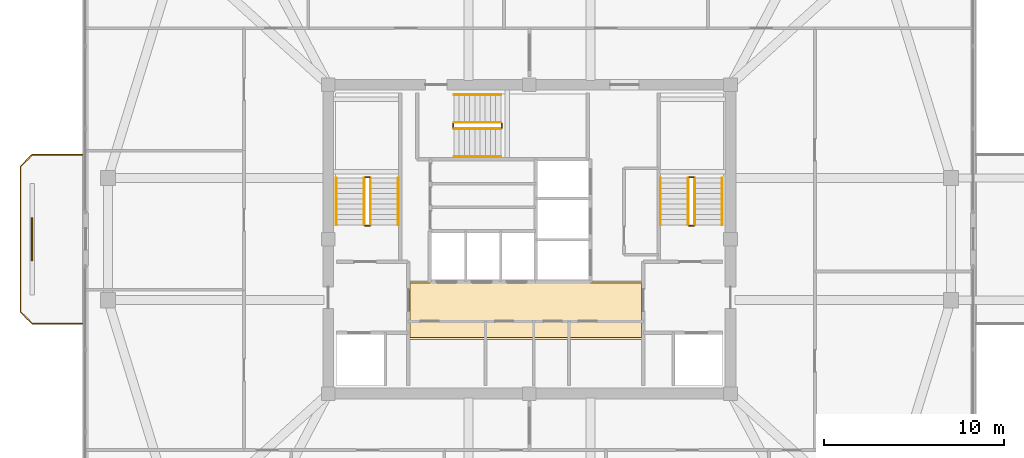
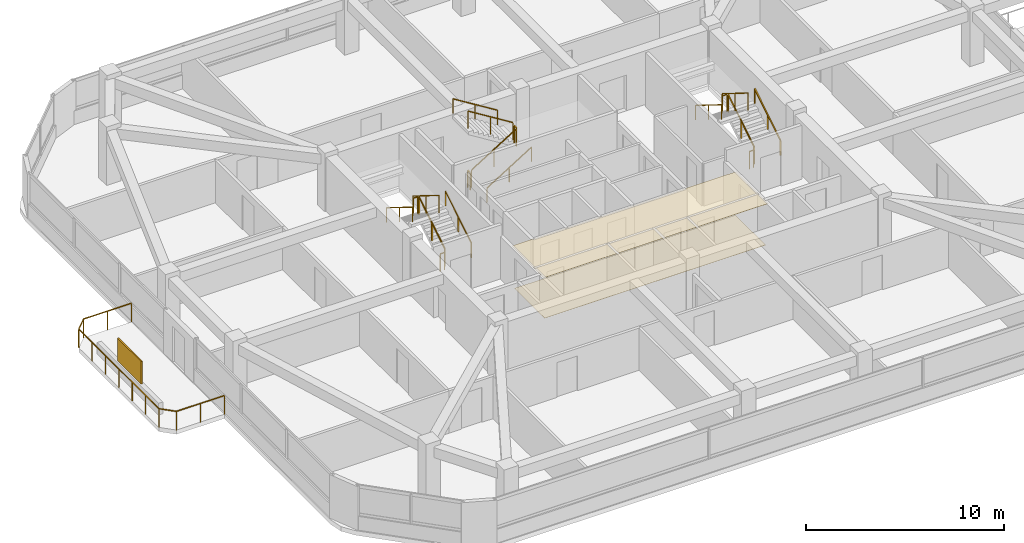
# One storey, part 12 of 13: 19 railings, 2 coverings, 1 shading device.
"""IFC4 building model written with IfcOpenShell, lengths in metres."""

from ifc_helpers import new_model, si_unit, derived_unit, direction, frame, origin, origin_2d, place, context, subcontext, project, spatial, polyline, rectangle, outline, extrude, material, layer, layer_set, type_object, element, save


model = new_model("IFC4")

# Units and contexts
model_context = context("Model", 3, precision=1e-05, world=origin(), true_north=direction((0.0, 1.0)))
body_context = subcontext(model_context, "Body", "Model", "MODEL_VIEW")
ifc_project = project(units=[si_unit("LENGTHUNIT", "METRE"), si_unit("AREAUNIT", "SQUARE_METRE"), si_unit("VOLUMEUNIT", "CUBIC_METRE"), si_unit("PLANEANGLEUNIT", "RADIAN"), si_unit("MASSUNIT", "GRAM", prefix="KILO"), derived_unit("THERMALTRANSMITTANCEUNIT", [(si_unit("POWERUNIT", "WATT"), 1), (si_unit("LENGTHUNIT", "METRE"), -2), (si_unit("THERMODYNAMICTEMPERATUREUNIT", "KELVIN"), -1)])], contexts=[model_context])

# Site, building, storey
site_placement = place(None, origin())
site = spatial("IfcSite", under=ifc_project, at=site_placement, CompositionType="ELEMENT")
building_placement = place(site_placement, origin())
building = spatial("IfcBuilding", under=site, at=building_placement, Name="Koralith Skygarden Medical Center", CompositionType="ELEMENT")
storey_placement = place(building_placement, frame((0.0, 0.0, 271.6201171875)))
storey = spatial("IfcBuildingStorey", under=building, at=storey_placement, Name="L70", CompositionType="ELEMENT", Elevation=271.6201171875)

# Covering
ifc_material_1 = material(Name="Acoustic Mineral Tile")
ifc_layer_1 = layer(ifc_material_1, 0.02001953125)
ifc_layer_set_1 = layer_set([ifc_layer_1], Name="Acoustic Mineral Tile")
covering_type_1 = type_object("IfcCoveringType", Name="Acoustic Hygienic Mineral Ceiling 20", PredefinedType="CEILING", material=ifc_layer_set_1)
covering_1_placement = place(storey_placement, frame((0.0, 0.0, 2.5849609375)))
element("IfcCovering", 1, at=covering_1_placement, inside=storey, type_object=covering_type_1, Name="L70 Core Lobby Acoustic Ceiling", PredefinedType="CEILING", context=body_context, shape_type="SweptSolid", body=[
    extrude(outline(polyline([(30.25, 20.320068359375), (43.35009765625, 20.320068359375), (43.35009765625, 23.56005859375), (30.25, 23.56005859375), (30.25, 20.320068359375)])), origin(), (0.0, 0.0, 1.0), 0.02001953125),
])

# Railing
ifc_material_2 = material(Name="Steel ASTM A500 Grade C", Category="steel")
railing_type_1 = type_object("IfcRailingType", Name="Outdoor Terrace & Balcony Safety Guardrail 1180", PredefinedType="GUARDRAIL", material=ifc_material_2)
railing_1_placement = place(storey_placement, frame((12.10009765625, 21.199951171875, 0.0)))
element("IfcRailing", 2, at=railing_1_placement, inside=storey, type_object=railing_type_1, Name="L70 W Balcony Perimeter Guardrail", PredefinedType="GUARDRAIL", context=body_context, shape_type="SweptSolid", body=[
    extrude(rectangle(XDim=0.050048828125, YDim=0.050048828125, at=origin_2d()), frame((-0.001953125, 0.0, 1.15478515625), z_axis=(-1.0, 0.0, 0.0), x_axis=(0.0, -1.0, 0.0)), (0.0, 0.0, 1.0), 2.796142578125),
    extrude(rectangle(XDim=0.050048828125, YDim=0.050048828125, at=origin_2d()), frame((-2.801513671875, 0.00146484375, 1.15478515625), z_axis=(-0.707106781187, 0.707106781187, 0.0), x_axis=(-0.707106781187, -0.707106781187, 0.0)), (0.0, 0.0, 1.0), 0.91552734375),
    extrude(rectangle(XDim=0.050048828125, YDim=0.050048828125, at=origin_2d()), frame((-3.4501953125, 0.652099609375, 1.15478515625), z_axis=(0.0, 1.0, 0.0), x_axis=(-1.0, 0.0, 0.0)), (0.0, 0.0, 1.0), 8.095947265625),
    extrude(rectangle(XDim=0.050048828125, YDim=0.050048828125, at=origin_2d()), frame((-3.44873046875, 8.75146484375, 1.15478515625), z_axis=(0.707106781187, 0.707106781187, 0.0), x_axis=(-0.707106781187, 0.707106781187, 0.0)), (0.0, 0.0, 1.0), 0.91552734375),
    extrude(rectangle(XDim=0.050048828125, YDim=0.050048828125, at=origin_2d()), frame((-2.798095703125, 9.400146484375, 1.15478515625), z_axis=(1.0, 0.0, 0.0), x_axis=(0.0, 1.0, 0.0)), (0.0, 0.0, 1.0), 2.796142578125),
    extrude(rectangle(XDim=0.0419921875, YDim=0.0419921875, at=origin_2d()), origin(), (0.0, 0.0, 1.0), 1.1279296875),
    extrude(rectangle(XDim=0.0419921875, YDim=0.0419921875, at=origin_2d()), frame((-1.39990234375, 0.0, 0.0)), (0.0, 0.0, 1.0), 1.1279296875),
    extrude(rectangle(XDim=0.0419921875, YDim=0.0419921875, at=origin_2d()), frame((-2.800048828125, 0.0, 0.0)), (0.0, 0.0, 1.0), 1.1279296875),
    extrude(rectangle(XDim=0.0419921875, YDim=0.0419921875, at=origin_2d()), frame((-3.4501953125, 0.650146484375, 0.0)), (0.0, 0.0, 1.0), 1.1279296875),
    extrude(rectangle(XDim=0.0419921875, YDim=0.0419921875, at=origin_2d()), frame((-3.4501953125, 2.0, 0.0)), (0.0, 0.0, 1.0), 1.1279296875),
    extrude(rectangle(XDim=0.0419921875, YDim=0.0419921875, at=origin_2d()), frame((-3.4501953125, 3.35009765625, 0.0)), (0.0, 0.0, 1.0), 1.1279296875),
    extrude(rectangle(XDim=0.0419921875, YDim=0.0419921875, at=origin_2d()), frame((-3.4501953125, 4.7001953125, 0.0)), (0.0, 0.0, 1.0), 1.1279296875),
    extrude(rectangle(XDim=0.0419921875, YDim=0.0419921875, at=origin_2d()), frame((-3.4501953125, 6.050048828125, 0.0)), (0.0, 0.0, 1.0), 1.1279296875),
    extrude(rectangle(XDim=0.0419921875, YDim=0.0419921875, at=origin_2d()), frame((-3.4501953125, 7.39990234375, 0.0)), (0.0, 0.0, 1.0), 1.1279296875),
    extrude(rectangle(XDim=0.0419921875, YDim=0.0419921875, at=origin_2d()), frame((-3.4501953125, 8.75, 0.0)), (0.0, 0.0, 1.0), 1.1279296875),
    extrude(rectangle(XDim=0.0419921875, YDim=0.0419921875, at=origin_2d()), frame((-2.800048828125, 9.400146484375, 0.0)), (0.0, 0.0, 1.0), 1.1279296875),
    extrude(rectangle(XDim=0.0419921875, YDim=0.0419921875, at=origin_2d()), frame((-1.39990234375, 9.400146484375, 0.0)), (0.0, 0.0, 1.0), 1.1279296875),
    extrude(rectangle(XDim=0.0419921875, YDim=0.0419921875, at=origin_2d()), frame((0.0, 9.400146484375, 0.0)), (0.0, 0.0, 1.0), 1.1279296875),
])

# Shading device
ifc_material_3 = material(Name="Aluminium 6063-T6", Category="aluminium")
ifc_layer_2 = layer(ifc_material_3, 0.080078125)
ifc_layer_set_2 = layer_set([ifc_layer_2], Name="Aluminium 6063-T6")
shading_device_type = type_object("IfcShadingDeviceType", Name="Perforated Biophilic Balcony Trellis Screen", PredefinedType="USERDEFINED", material=ifc_layer_set_2)
shading_device_placement = place(storey_placement, frame((9.300048828125, 25.89990234375, 0.719970703125), z_axis=(0.0, 0.0, 1.0), x_axis=(0.0, 1.0, 0.0)))
element("IfcShadingDevice", 3, at=shading_device_placement, inside=storey, type_object=shading_device_type, Name="L70 W Biophilic Balcony Trellis Screen", ObjectType="HURRICANE SCREEN", PredefinedType="USERDEFINED", context=body_context, shape_type="SweptSolid", body=[
    extrude(rectangle(XDim=2.39990234375, YDim=0.080078125, at=origin_2d()), origin(), (0.0, 0.0, 1.0), 1.39990234375),
])

# Covering
ifc_material_4 = material(Name="Medical Terrazzo Flooring")
ifc_layer_3 = layer(ifc_material_4, 0.014892578125)
ifc_layer_set_3 = layer_set([ifc_layer_3], Name="Medical Terrazzo Flooring")
covering_type_2 = type_object("IfcCoveringType", Name="Seamless Antimicrobial Terrazzo Flooring 15", PredefinedType="FLOORING", material=ifc_layer_set_3)
covering_2_placement = place(storey_placement, origin())
element("IfcCovering", 4, at=covering_2_placement, inside=storey, type_object=covering_type_2, Name="L70 Core Lobby Terrazzo Flooring", PredefinedType="FLOORING", context=body_context, shape_type="SweptSolid", body=[
    extrude(outline(polyline([(30.35009765625, 20.419921875), (43.25, 20.419921875), (43.25, 23.4599609375), (30.35009765625, 23.4599609375), (30.35009765625, 20.419921875)])), origin(), (0.0, 0.0, 1.0), 0.014892578125),
])

# Railings
railing_type_2 = type_object("IfcRailingType", Name="Stair Flight Tubular Handrail 920", PredefinedType="HANDRAIL", material=ifc_material_2)
railing_2_placement = place(storey_placement, frame((29.699951171875, 26.699951171875, 0.179931640625)))
element("IfcRailing", 5, at=railing_2_placement, inside=storey, type_object=railing_type_2, Name="L70 ST1 stair handrail 1", PredefinedType="HANDRAIL", context=body_context, shape_type="SweptSolid", body=[
    extrude(rectangle(XDim=0.050048828125, YDim=0.050048828125, at=origin_2d()), frame((0.0, 0.001708984375, 0.89599609375), z_axis=(0.0, 0.849668407637, 0.527317358963), x_axis=(-1.0, 0.0, 0.0)), (0.0, 0.0, 1.0), 3.06787109375),
    extrude(rectangle(XDim=0.0419921875, YDim=0.0419921875, at=origin_2d()), origin(), (0.0, 0.0, 1.0), 0.867919921875),
    extrude(rectangle(XDim=0.0419921875, YDim=0.0419921875, at=origin_2d()), frame((0.0, 1.30517578125, 0.81005859375)), (0.0, 0.0, 1.0), 0.867919921875),
    extrude(rectangle(XDim=0.0419921875, YDim=0.0419921875, at=origin_2d()), frame((0.0, 2.610107421875, 1.619873046875)), (0.0, 0.0, 1.0), 0.867919921875),
])
railing_3_placement = place(storey_placement, frame((26.25, 29.31005859375, 1.97998046875)))
element("IfcRailing", 6, at=railing_3_placement, inside=storey, type_object=railing_type_2, Name="L70 ST1 stair handrail 2", PredefinedType="HANDRAIL", context=body_context, shape_type="SweptSolid", body=[
    extrude(rectangle(XDim=0.050048828125, YDim=0.050048828125, at=origin_2d()), frame((0.0, -0.001708984375, 0.89599609375), z_axis=(0.0, -0.849668407637, 0.527317358963), x_axis=(1.0, 0.0, 0.0)), (0.0, 0.0, 1.0), 3.06787109375),
    extrude(rectangle(XDim=0.0419921875, YDim=0.0419921875, at=origin_2d()), origin(), (0.0, 0.0, 1.0), 0.867919921875),
    extrude(rectangle(XDim=0.0419921875, YDim=0.0419921875, at=origin_2d()), frame((0.0, -1.30517578125, 0.81005859375)), (0.0, 0.0, 1.0), 0.867919921875),
    extrude(rectangle(XDim=0.0419921875, YDim=0.0419921875, at=origin_2d()), frame((0.0, -2.610107421875, 1.619873046875)), (0.0, 0.0, 1.0), 0.867919921875),
])
railing_4_placement = place(storey_placement, frame((47.75, 26.699951171875, 0.179931640625)))
element("IfcRailing", 7, at=railing_4_placement, inside=storey, type_object=railing_type_2, Name="L70 ST2 stair handrail 1", PredefinedType="HANDRAIL", context=body_context, shape_type="SweptSolid", body=[
    extrude(rectangle(XDim=0.050048828125, YDim=0.050048828125, at=origin_2d()), frame((0.0, 0.001708984375, 0.89599609375), z_axis=(0.0, 0.849668407637, 0.527317358963), x_axis=(-1.0, 0.0, 0.0)), (0.0, 0.0, 1.0), 3.06787109375),
    extrude(rectangle(XDim=0.0419921875, YDim=0.0419921875, at=origin_2d()), origin(), (0.0, 0.0, 1.0), 0.867919921875),
    extrude(rectangle(XDim=0.0419921875, YDim=0.0419921875, at=origin_2d()), frame((0.0, 1.30517578125, 0.81005859375)), (0.0, 0.0, 1.0), 0.867919921875),
    extrude(rectangle(XDim=0.0419921875, YDim=0.0419921875, at=origin_2d()), frame((0.0, 2.610107421875, 1.619873046875)), (0.0, 0.0, 1.0), 0.867919921875),
])
railing_5_placement = place(storey_placement, frame((44.300048828125, 29.31005859375, 1.97998046875)))
element("IfcRailing", 8, at=railing_5_placement, inside=storey, type_object=railing_type_2, Name="L70 ST2 stair handrail 2", PredefinedType="HANDRAIL", context=body_context, shape_type="SweptSolid", body=[
    extrude(rectangle(XDim=0.050048828125, YDim=0.050048828125, at=origin_2d()), frame((0.0, -0.001708984375, 0.89599609375), z_axis=(0.0, -0.849668407637, 0.527317358963), x_axis=(1.0, 0.0, 0.0)), (0.0, 0.0, 1.0), 3.06787109375),
    extrude(rectangle(XDim=0.0419921875, YDim=0.0419921875, at=origin_2d()), origin(), (0.0, 0.0, 1.0), 0.867919921875),
    extrude(rectangle(XDim=0.0419921875, YDim=0.0419921875, at=origin_2d()), frame((0.0, -1.30517578125, 0.81005859375)), (0.0, 0.0, 1.0), 0.867919921875),
    extrude(rectangle(XDim=0.0419921875, YDim=0.0419921875, at=origin_2d()), frame((0.0, -2.610107421875, 1.619873046875)), (0.0, 0.0, 1.0), 0.867919921875),
])
railing_6_placement = place(storey_placement, frame((32.800048828125, 30.5, 0.179931640625)))
element("IfcRailing", 9, at=railing_6_placement, inside=storey, type_object=railing_type_2, Name="L70 ST3 stair handrail 1", PredefinedType="HANDRAIL", context=body_context, shape_type="SweptSolid", body=[
    extrude(rectangle(XDim=0.050048828125, YDim=0.050048828125, at=origin_2d()), frame((0.001708984375, 0.0, 0.89599609375), z_axis=(0.849646306263, 0.0, 0.527352969322), x_axis=(0.0, 1.0, 0.0)), (0.0, 0.0, 1.0), 3.067626953125),
    extrude(rectangle(XDim=0.0419921875, YDim=0.0419921875, at=origin_2d()), origin(), (0.0, 0.0, 1.0), 0.867919921875),
    extrude(rectangle(XDim=0.0419921875, YDim=0.0419921875, at=origin_2d()), frame((1.304931640625, 0.0, 0.81005859375)), (0.0, 0.0, 1.0), 0.867919921875),
    extrude(rectangle(XDim=0.0419921875, YDim=0.0419921875, at=origin_2d()), frame((2.60986328125, 0.0, 1.619873046875)), (0.0, 0.0, 1.0), 0.867919921875),
])
railing_7_placement = place(storey_placement, frame((35.409912109375, 33.949951171875, 1.97998046875)))
element("IfcRailing", 10, at=railing_7_placement, inside=storey, type_object=railing_type_2, Name="L70 ST3 stair handrail 2", PredefinedType="HANDRAIL", context=body_context, shape_type="SweptSolid", body=[
    extrude(rectangle(XDim=0.050048828125, YDim=0.050048828125, at=origin_2d()), frame((-0.001708984375, 0.0, 0.89599609375), z_axis=(-0.849646306263, 0.0, 0.527352969322), x_axis=(0.0, -1.0, 0.0)), (0.0, 0.0, 1.0), 3.067626953125),
    extrude(rectangle(XDim=0.0419921875, YDim=0.0419921875, at=origin_2d()), origin(), (0.0, 0.0, 1.0), 0.867919921875),
    extrude(rectangle(XDim=0.0419921875, YDim=0.0419921875, at=origin_2d()), frame((-1.304931640625, 0.0, 0.81005859375)), (0.0, 0.0, 1.0), 0.867919921875),
    extrude(rectangle(XDim=0.0419921875, YDim=0.0419921875, at=origin_2d()), frame((-2.60986328125, 0.0, 1.619873046875)), (0.0, 0.0, 1.0), 0.867919921875),
])
railing_type_3 = type_object("IfcRailingType", Name="Stair Well Safety Guardrail 1100", PredefinedType="GUARDRAIL", material=ifc_material_2)
railing_8_placement = place(storey_placement, frame((28.14990234375, 26.699951171875, 0.179931640625)))
element("IfcRailing", 11, at=railing_8_placement, inside=storey, type_object=railing_type_3, Name="L70 ST1 stair guard 1", PredefinedType="GUARDRAIL", context=body_context, shape_type="SweptSolid", body=[
    extrude(rectangle(XDim=0.050048828125, YDim=0.050048828125, at=origin_2d()), frame((0.0, 0.001708984375, 1.076171875), z_axis=(0.0, 0.849668407637, 0.527317358963), x_axis=(-1.0, 0.0, 0.0)), (0.0, 0.0, 1.0), 3.06787109375),
    extrude(rectangle(XDim=0.0419921875, YDim=0.0419921875, at=origin_2d()), origin(), (0.0, 0.0, 1.0), 1.048095703125),
    extrude(rectangle(XDim=0.0419921875, YDim=0.0419921875, at=origin_2d()), frame((0.0, 1.30517578125, 0.81005859375)), (0.0, 0.0, 1.0), 1.048095703125),
    extrude(rectangle(XDim=0.0419921875, YDim=0.0419921875, at=origin_2d()), frame((0.0, 2.610107421875, 1.619873046875)), (0.0, 0.0, 1.0), 1.048095703125),
])
railing_9_placement = place(storey_placement, frame((28.10009765625, 29.360107421875, 1.7998046875)))
element("IfcRailing", 12, at=railing_9_placement, inside=storey, type_object=railing_type_3, Name="L70 ST1 stair guard 2", PredefinedType="GUARDRAIL", context=body_context, shape_type="SweptSolid", body=[
    extrude(rectangle(XDim=0.050048828125, YDim=0.050048828125, at=origin_2d()), frame((-0.001953125, 0.0, 1.0751953125), z_axis=(-1.0, 0.0, 0.0), x_axis=(0.0, -1.0, 0.0)), (0.0, 0.0, 1.0), 0.24609375),
    extrude(rectangle(XDim=0.0419921875, YDim=0.0419921875, at=origin_2d()), origin(), (0.0, 0.0, 1.0), 1.048095703125),
    extrude(rectangle(XDim=0.0419921875, YDim=0.0419921875, at=origin_2d()), frame((-0.25, 0.0, 0.0)), (0.0, 0.0, 1.0), 1.048095703125),
])
railing_10_placement = place(storey_placement, frame((27.800048828125, 29.31005859375, 1.97998046875)))
element("IfcRailing", 13, at=railing_10_placement, inside=storey, type_object=railing_type_3, Name="L70 ST1 stair guard 3", PredefinedType="GUARDRAIL", context=body_context, shape_type="SweptSolid", body=[
    extrude(rectangle(XDim=0.050048828125, YDim=0.050048828125, at=origin_2d()), frame((0.0, -0.001708984375, 1.076171875), z_axis=(0.0, -0.849668407637, 0.527317358963), x_axis=(1.0, 0.0, 0.0)), (0.0, 0.0, 1.0), 3.06787109375),
    extrude(rectangle(XDim=0.0419921875, YDim=0.0419921875, at=origin_2d()), origin(), (0.0, 0.0, 1.0), 1.048095703125),
    extrude(rectangle(XDim=0.0419921875, YDim=0.0419921875, at=origin_2d()), frame((0.0, -1.30517578125, 0.81005859375)), (0.0, 0.0, 1.0), 1.048095703125),
    extrude(rectangle(XDim=0.0419921875, YDim=0.0419921875, at=origin_2d()), frame((0.0, -2.610107421875, 1.619873046875)), (0.0, 0.0, 1.0), 1.048095703125),
])
railing_11_placement = place(storey_placement, frame((28.10009765625, 26.64990234375, 0.0)))
element("IfcRailing", 14, at=railing_11_placement, inside=storey, type_object=railing_type_3, Name="L70 ST1 stair guard 4", PredefinedType="GUARDRAIL", context=body_context, shape_type="SweptSolid", body=[
    extrude(rectangle(XDim=0.050048828125, YDim=0.050048828125, at=origin_2d()), frame((-0.001953125, 0.0, 1.0751953125), z_axis=(-1.0, 0.0, 0.0), x_axis=(0.0, -1.0, 0.0)), (0.0, 0.0, 1.0), 0.24609375),
    extrude(rectangle(XDim=0.0419921875, YDim=0.0419921875, at=origin_2d()), origin(), (0.0, 0.0, 1.0), 1.048095703125),
    extrude(rectangle(XDim=0.0419921875, YDim=0.0419921875, at=origin_2d()), frame((-0.25, 0.0, 0.0)), (0.0, 0.0, 1.0), 1.048095703125),
])
railing_12_placement = place(storey_placement, frame((46.199951171875, 26.699951171875, 0.179931640625)))
element("IfcRailing", 15, at=railing_12_placement, inside=storey, type_object=railing_type_3, Name="L70 ST2 stair guard 1", PredefinedType="GUARDRAIL", context=body_context, shape_type="SweptSolid", body=[
    extrude(rectangle(XDim=0.050048828125, YDim=0.050048828125, at=origin_2d()), frame((0.0, 0.001708984375, 1.076171875), z_axis=(0.0, 0.849668407637, 0.527317358963), x_axis=(-1.0, 0.0, 0.0)), (0.0, 0.0, 1.0), 3.06787109375),
    extrude(rectangle(XDim=0.0419921875, YDim=0.0419921875, at=origin_2d()), origin(), (0.0, 0.0, 1.0), 1.048095703125),
    extrude(rectangle(XDim=0.0419921875, YDim=0.0419921875, at=origin_2d()), frame((0.0, 1.30517578125, 0.81005859375)), (0.0, 0.0, 1.0), 1.048095703125),
    extrude(rectangle(XDim=0.0419921875, YDim=0.0419921875, at=origin_2d()), frame((0.0, 2.610107421875, 1.619873046875)), (0.0, 0.0, 1.0), 1.048095703125),
])
railing_13_placement = place(storey_placement, frame((46.14990234375, 29.360107421875, 1.7998046875)))
element("IfcRailing", 16, at=railing_13_placement, inside=storey, type_object=railing_type_3, Name="L70 ST2 stair guard 2", PredefinedType="GUARDRAIL", context=body_context, shape_type="SweptSolid", body=[
    extrude(rectangle(XDim=0.050048828125, YDim=0.050048828125, at=origin_2d()), frame((-0.001953125, 0.0, 1.0751953125), z_axis=(-1.0, 0.0, 0.0), x_axis=(0.0, -1.0, 0.0)), (0.0, 0.0, 1.0), 0.24609375),
    extrude(rectangle(XDim=0.0419921875, YDim=0.0419921875, at=origin_2d()), origin(), (0.0, 0.0, 1.0), 1.048095703125),
    extrude(rectangle(XDim=0.0419921875, YDim=0.0419921875, at=origin_2d()), frame((-0.25, 0.0, 0.0)), (0.0, 0.0, 1.0), 1.048095703125),
])
railing_14_placement = place(storey_placement, frame((45.85009765625, 29.31005859375, 1.97998046875)))
element("IfcRailing", 17, at=railing_14_placement, inside=storey, type_object=railing_type_3, Name="L70 ST2 stair guard 3", PredefinedType="GUARDRAIL", context=body_context, shape_type="SweptSolid", body=[
    extrude(rectangle(XDim=0.050048828125, YDim=0.050048828125, at=origin_2d()), frame((0.0, -0.001708984375, 1.076171875), z_axis=(0.0, -0.849668407637, 0.527317358963), x_axis=(1.0, 0.0, 0.0)), (0.0, 0.0, 1.0), 3.06787109375),
    extrude(rectangle(XDim=0.0419921875, YDim=0.0419921875, at=origin_2d()), origin(), (0.0, 0.0, 1.0), 1.048095703125),
    extrude(rectangle(XDim=0.0419921875, YDim=0.0419921875, at=origin_2d()), frame((0.0, -1.30517578125, 0.81005859375)), (0.0, 0.0, 1.0), 1.048095703125),
    extrude(rectangle(XDim=0.0419921875, YDim=0.0419921875, at=origin_2d()), frame((0.0, -2.610107421875, 1.619873046875)), (0.0, 0.0, 1.0), 1.048095703125),
])
railing_15_placement = place(storey_placement, frame((46.14990234375, 26.64990234375, 0.0)))
element("IfcRailing", 18, at=railing_15_placement, inside=storey, type_object=railing_type_3, Name="L70 ST2 stair guard 4", PredefinedType="GUARDRAIL", context=body_context, shape_type="SweptSolid", body=[
    extrude(rectangle(XDim=0.050048828125, YDim=0.050048828125, at=origin_2d()), frame((-0.001953125, 0.0, 1.0751953125), z_axis=(-1.0, 0.0, 0.0), x_axis=(0.0, -1.0, 0.0)), (0.0, 0.0, 1.0), 0.24609375),
    extrude(rectangle(XDim=0.0419921875, YDim=0.0419921875, at=origin_2d()), origin(), (0.0, 0.0, 1.0), 1.048095703125),
    extrude(rectangle(XDim=0.0419921875, YDim=0.0419921875, at=origin_2d()), frame((-0.25, 0.0, 0.0)), (0.0, 0.0, 1.0), 1.048095703125),
])
railing_16_placement = place(storey_placement, frame((32.800048828125, 32.050048828125, 0.179931640625)))
element("IfcRailing", 19, at=railing_16_placement, inside=storey, type_object=railing_type_3, Name="L70 ST3 stair guard 1", PredefinedType="GUARDRAIL", context=body_context, shape_type="SweptSolid", body=[
    extrude(rectangle(XDim=0.050048828125, YDim=0.050048828125, at=origin_2d()), frame((0.001708984375, 0.0, 1.076171875), z_axis=(0.849646306263, 0.0, 0.527352969322), x_axis=(0.0, 1.0, 0.0)), (0.0, 0.0, 1.0), 3.067626953125),
    extrude(rectangle(XDim=0.0419921875, YDim=0.0419921875, at=origin_2d()), origin(), (0.0, 0.0, 1.0), 1.048095703125),
    extrude(rectangle(XDim=0.0419921875, YDim=0.0419921875, at=origin_2d()), frame((1.304931640625, 0.0, 0.81005859375)), (0.0, 0.0, 1.0), 1.048095703125),
    extrude(rectangle(XDim=0.0419921875, YDim=0.0419921875, at=origin_2d()), frame((2.60986328125, 0.0, 1.619873046875)), (0.0, 0.0, 1.0), 1.048095703125),
])
railing_17_placement = place(storey_placement, frame((35.4599609375, 32.10009765625, 1.7998046875)))
element("IfcRailing", 20, at=railing_17_placement, inside=storey, type_object=railing_type_3, Name="L70 ST3 stair guard 2", PredefinedType="GUARDRAIL", context=body_context, shape_type="SweptSolid", body=[
    extrude(rectangle(XDim=0.050048828125, YDim=0.050048828125, at=origin_2d()), frame((0.0, 0.001953125, 1.0751953125), z_axis=(0.0, 1.0, 0.0), x_axis=(-1.0, 0.0, 0.0)), (0.0, 0.0, 1.0), 0.24609375),
    extrude(rectangle(XDim=0.0419921875, YDim=0.0419921875, at=origin_2d()), origin(), (0.0, 0.0, 1.0), 1.048095703125),
    extrude(rectangle(XDim=0.0419921875, YDim=0.0419921875, at=origin_2d()), frame((0.0, 0.25, 0.0)), (0.0, 0.0, 1.0), 1.048095703125),
])
railing_18_placement = place(storey_placement, frame((35.409912109375, 32.39990234375, 1.97998046875)))
element("IfcRailing", 21, at=railing_18_placement, inside=storey, type_object=railing_type_3, Name="L70 ST3 stair guard 3", PredefinedType="GUARDRAIL", context=body_context, shape_type="SweptSolid", body=[
    extrude(rectangle(XDim=0.050048828125, YDim=0.050048828125, at=origin_2d()), frame((-0.001708984375, 0.0, 1.076171875), z_axis=(-0.849646306263, 0.0, 0.527352969322), x_axis=(0.0, -1.0, 0.0)), (0.0, 0.0, 1.0), 3.067626953125),
    extrude(rectangle(XDim=0.0419921875, YDim=0.0419921875, at=origin_2d()), origin(), (0.0, 0.0, 1.0), 1.048095703125),
    extrude(rectangle(XDim=0.0419921875, YDim=0.0419921875, at=origin_2d()), frame((-1.304931640625, 0.0, 0.81005859375)), (0.0, 0.0, 1.0), 1.048095703125),
    extrude(rectangle(XDim=0.0419921875, YDim=0.0419921875, at=origin_2d()), frame((-2.60986328125, 0.0, 1.619873046875)), (0.0, 0.0, 1.0), 1.048095703125),
])
railing_19_placement = place(storey_placement, frame((32.75, 32.10009765625, 0.0)))
element("IfcRailing", 22, at=railing_19_placement, inside=storey, type_object=railing_type_3, Name="L70 ST3 stair guard 4", PredefinedType="GUARDRAIL", context=body_context, shape_type="SweptSolid", body=[
    extrude(rectangle(XDim=0.050048828125, YDim=0.050048828125, at=origin_2d()), frame((0.0, 0.001953125, 1.0751953125), z_axis=(0.0, 1.0, 0.0), x_axis=(-1.0, 0.0, 0.0)), (0.0, 0.0, 1.0), 0.24609375),
    extrude(rectangle(XDim=0.0419921875, YDim=0.0419921875, at=origin_2d()), origin(), (0.0, 0.0, 1.0), 1.048095703125),
    extrude(rectangle(XDim=0.0419921875, YDim=0.0419921875, at=origin_2d()), frame((0.0, 0.25, 0.0)), (0.0, 0.0, 1.0), 1.048095703125),
])

save(model, "model.ifc")
